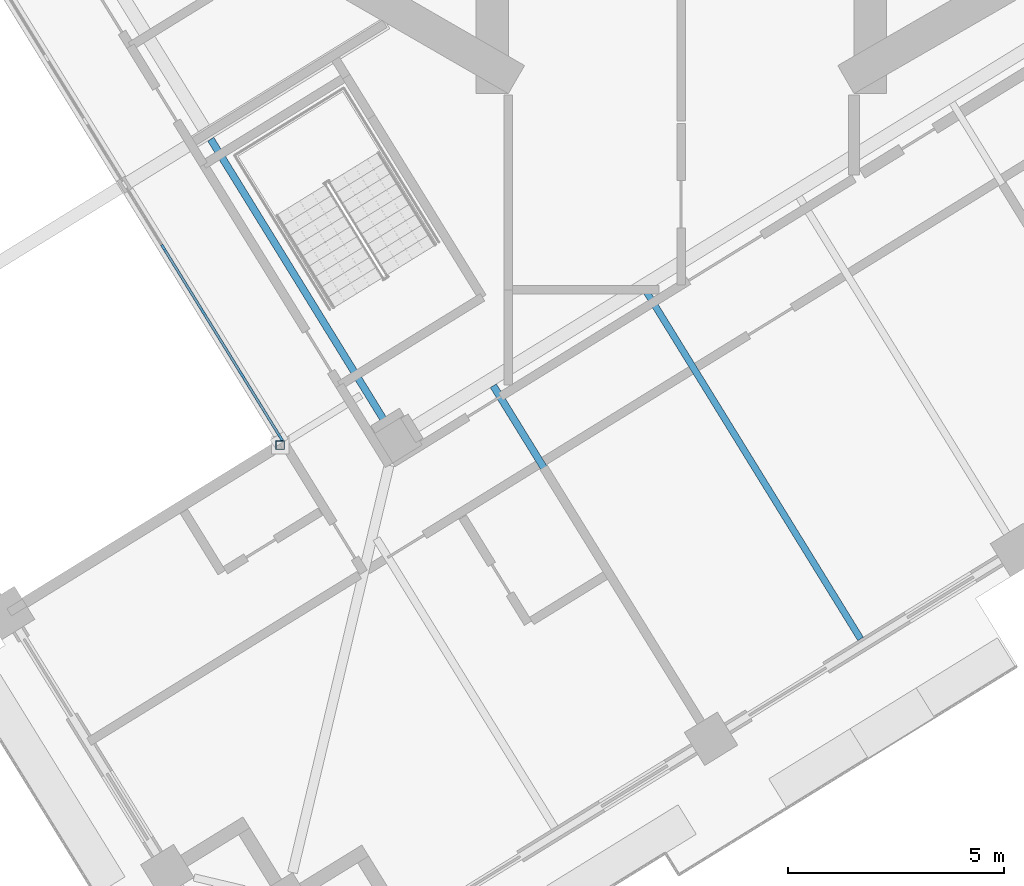
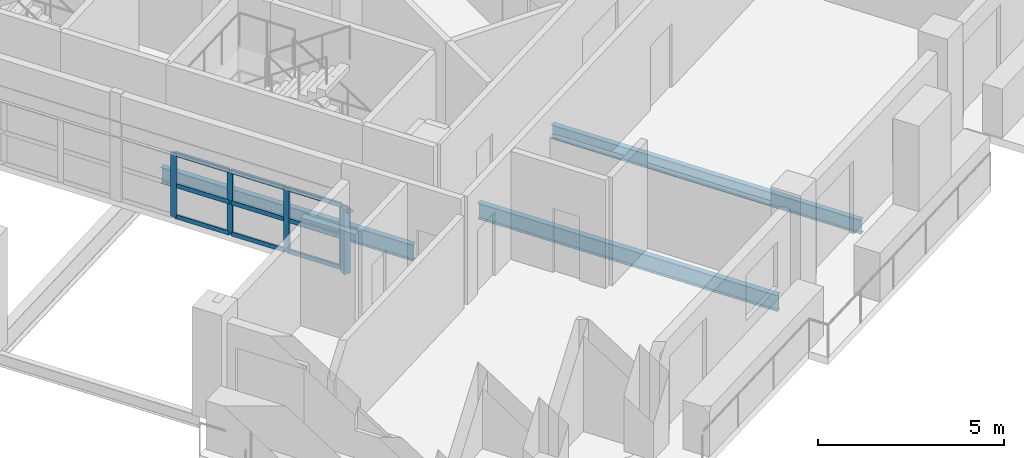
# One storey, part 2 of 22: 14 members, 3 beams, 1 element without a shape of its own.
"""IFC4 building model written with IfcOpenShell, lengths in metres."""

from ifc_helpers import new_model, si_unit, direction, frame, origin, origin_2d, place, context, subcontext, project, spatial, rectangle, hollow_rectangle, i_section, extrude, material, material_profile, profile_set, type_object, element, aggregate, save


model = new_model("IFC4")

# Units and contexts
model_context = context("Model", 3, precision=1e-05, world=origin(), true_north=direction((0.0, 1.0)))
body_context = subcontext(model_context, "Body", "Model", "MODEL_VIEW")
ifc_project = project(units=[si_unit("LENGTHUNIT", "METRE"), si_unit("AREAUNIT", "SQUARE_METRE"), si_unit("VOLUMEUNIT", "CUBIC_METRE"), si_unit("PLANEANGLEUNIT", "RADIAN"), si_unit("MASSUNIT", "GRAM", prefix="KILO")], contexts=[model_context])

# Site, building, storey
site_placement = place(None, origin())
site = spatial("IfcSite", under=ifc_project, at=site_placement, CompositionType="ELEMENT")
building_placement = place(site_placement, origin())
building = spatial("IfcBuilding", under=site, at=building_placement, Name="Cantera Rosa Tower", CompositionType="ELEMENT")
storey_placement = place(building_placement, frame((0.0, 0.0, 162.800048828125)))
storey = spatial("IfcBuildingStorey", under=building, at=storey_placement, Name="L35", CompositionType="ELEMENT", Elevation=162.800048828125)

# Curtain wall, members
ifc_material_1 = material(Name="Aluminium frame with clear glass", Category="aluminium")
curtain_wall_type = type_object("IfcCurtainWallType", Name="CW1 TERRACE POCKET GLAZING", PredefinedType="NOTDEFINED", material=ifc_material_1)
curtain_wall_placement = place(storey_placement, origin())
curtain_wall = element("IfcCurtainWall", 1, at=curtain_wall_placement, inside=storey, type_object=curtain_wall_type, Name="CW1 CW1", PredefinedType="NOTDEFINED")
ifc_material_2 = material(Name="Anodised bronze aluminium", Category="aluminium")
ifc_material_profile_1 = material_profile(ifc_material_2, rectangle(XDim=0.06005859375, YDim=0.179931640625, at=origin_2d()), Name="CW-MULLION 60x180 POCKET")
ifc_profile_set_1 = profile_set([ifc_material_profile_1], Name="Anodised bronze aluminium")
member_type_1 = type_object("IfcMemberType", Name="CW-MULLION 60x180 POCKET", PredefinedType="MULLION", material=ifc_profile_set_1)
member_1_placement = place(storey_placement, frame((-11.976806640625, -13.53662109375, 0.0), z_axis=(0.0, 0.0, 1.0), x_axis=(0.851116672416, 0.524976580369, 0.0)))
member_1 = element("IfcMember", 2, at=member_1_placement, type_object=member_type_1, Name="CW1 mullion 6", PredefinedType="MULLION", context=body_context, shape_type="SweptSolid", body=[
    extrude(rectangle(XDim=0.06005859375, YDim=0.179931640625, at=origin_2d()), origin(), (0.0, 0.0, 1.0), 2.10400390625),
])
member_2_placement = place(storey_placement, frame((-11.07177734375, -15.003662109375, 0.0), z_axis=(0.0, 0.0, 1.0), x_axis=(0.851116672416, 0.524976580369, 0.0)))
member_2 = element("IfcMember", 3, at=member_2_placement, type_object=member_type_1, Name="CW1 mullion 7", PredefinedType="MULLION", context=body_context, shape_type="SweptSolid", body=[
    extrude(rectangle(XDim=0.06005859375, YDim=0.179931640625, at=origin_2d()), origin(), (0.0, 0.0, 1.0), 2.10400390625),
])
member_3_placement = place(storey_placement, frame((-10.166748046875, -16.470947265625, 0.0), z_axis=(0.0, 0.0, 1.0), x_axis=(0.851116672416, 0.524976580369, 0.0)))
member_3 = element("IfcMember", 4, at=member_3_placement, type_object=member_type_1, Name="CW1 mullion 8", PredefinedType="MULLION", context=body_context, shape_type="SweptSolid", body=[
    extrude(rectangle(XDim=0.06005859375, YDim=0.179931640625, at=origin_2d()), origin(), (0.0, 0.0, 1.0), 2.10400390625),
])
member_4_placement = place(storey_placement, frame((-9.277587890625, -17.912353515625, 0.0), z_axis=(0.0, 0.0, 1.0), x_axis=(0.851116672416, 0.524976580369, 0.0)))
member_4 = element("IfcMember", 5, at=member_4_placement, type_object=member_type_1, Name="CW1 mullion 9", PredefinedType="MULLION", context=body_context, shape_type="SweptSolid", body=[
    extrude(rectangle(XDim=0.06005859375, YDim=0.179931640625, at=origin_2d()), origin(), (0.0, 0.0, 1.0), 2.10400390625),
])
ifc_material_3 = material(Name="Anodised bronze aluminium", Category="aluminium")
ifc_material_profile_2 = material_profile(ifc_material_3, rectangle(XDim=0.06005859375, YDim=0.139892578125, at=origin_2d()), Name="CW-TRANSOM 60x140 POCKET")
ifc_profile_set_2 = profile_set([ifc_material_profile_2], Name="Anodised bronze aluminium")
member_type_2 = type_object("IfcMemberType", Name="CW-TRANSOM 60x140 POCKET", PredefinedType="USERDEFINED", material=ifc_profile_set_2)
member_5_placement = place(storey_placement, frame((-11.9609375, -13.562255859375, 0.030029296875), z_axis=(0.524924142227, -0.851149014514, 0.0), x_axis=(0.851149014514, 0.524924142227, 0.0)))
member_5 = element("IfcMember", 6, at=member_5_placement, type_object=member_type_2, Name="CW1 transom 6.1", ObjectType="TRANSOM", PredefinedType="USERDEFINED", context=body_context, shape_type="SweptSolid", body=[
    extrude(rectangle(XDim=0.06005859375, YDim=0.139892578125, at=origin_2d()), origin(), (0.0, 0.0, 1.0), 1.66357421875),
])
member_6_placement = place(storey_placement, frame((-11.9609375, -13.562255859375, 1.052001953125), z_axis=(0.524924142227, -0.851149014514, 0.0), x_axis=(0.851149014514, 0.524924142227, 0.0)))
member_6 = element("IfcMember", 7, at=member_6_placement, type_object=member_type_2, Name="CW1 transom 6.2", ObjectType="TRANSOM", PredefinedType="USERDEFINED", context=body_context, shape_type="SweptSolid", body=[
    extrude(rectangle(XDim=0.06005859375, YDim=0.139892578125, at=origin_2d()), origin(), (0.0, 0.0, 1.0), 1.66357421875),
])
member_7_placement = place(storey_placement, frame((-11.9609375, -13.562255859375, 2.073974609375), z_axis=(0.524924142227, -0.851149014514, 0.0), x_axis=(0.851149014514, 0.524924142227, 0.0)))
member_7 = element("IfcMember", 8, at=member_7_placement, type_object=member_type_2, Name="CW1 transom 6.3", ObjectType="TRANSOM", PredefinedType="USERDEFINED", context=body_context, shape_type="SweptSolid", body=[
    extrude(rectangle(XDim=0.06005859375, YDim=0.139892578125, at=origin_2d()), origin(), (0.0, 0.0, 1.0), 1.66357421875),
])
member_8_placement = place(storey_placement, frame((-11.05615234375, -15.029296875, 0.030029296875), z_axis=(0.525030443539, -0.851083446765, 0.0), x_axis=(0.851083446765, 0.525030443539, 0.0)))
member_8 = element("IfcMember", 9, at=member_8_placement, type_object=member_type_2, Name="CW1 transom 7.1", ObjectType="TRANSOM", PredefinedType="USERDEFINED", context=body_context, shape_type="SweptSolid", body=[
    extrude(rectangle(XDim=0.06005859375, YDim=0.139892578125, at=origin_2d()), origin(), (0.0, 0.0, 1.0), 1.663818359375),
])
member_9_placement = place(storey_placement, frame((-11.05615234375, -15.029296875, 1.052001953125), z_axis=(0.525030443539, -0.851083446765, 0.0), x_axis=(0.851083446765, 0.525030443539, 0.0)))
member_9 = element("IfcMember", 10, at=member_9_placement, type_object=member_type_2, Name="CW1 transom 7.2", ObjectType="TRANSOM", PredefinedType="USERDEFINED", context=body_context, shape_type="SweptSolid", body=[
    extrude(rectangle(XDim=0.06005859375, YDim=0.139892578125, at=origin_2d()), origin(), (0.0, 0.0, 1.0), 1.663818359375),
])
member_10_placement = place(storey_placement, frame((-11.05615234375, -15.029296875, 2.073974609375), z_axis=(0.525030443539, -0.851083446765, 0.0), x_axis=(0.851083446765, 0.525030443539, 0.0)))
member_10 = element("IfcMember", 11, at=member_10_placement, type_object=member_type_2, Name="CW1 transom 7.3", ObjectType="TRANSOM", PredefinedType="USERDEFINED", context=body_context, shape_type="SweptSolid", body=[
    extrude(rectangle(XDim=0.06005859375, YDim=0.139892578125, at=origin_2d()), origin(), (0.0, 0.0, 1.0), 1.663818359375),
])
member_11_placement = place(storey_placement, frame((-10.151123046875, -16.496337890625, 0.030029296875), z_axis=(0.524939222981, -0.851139713664, 0.0), x_axis=(0.851139713664, 0.524939222981, 0.0)))
member_11 = element("IfcMember", 12, at=member_11_placement, type_object=member_type_2, Name="CW1 transom 8.1", ObjectType="TRANSOM", PredefinedType="USERDEFINED", context=body_context, shape_type="SweptSolid", body=[
    extrude(rectangle(XDim=0.06005859375, YDim=0.139892578125, at=origin_2d()), origin(), (0.0, 0.0, 1.0), 1.6337890625),
])
member_12_placement = place(storey_placement, frame((-10.151123046875, -16.496337890625, 1.052001953125), z_axis=(0.524939222981, -0.851139713664, 0.0), x_axis=(0.851139713664, 0.524939222981, 0.0)))
member_12 = element("IfcMember", 13, at=member_12_placement, type_object=member_type_2, Name="CW1 transom 8.2", ObjectType="TRANSOM", PredefinedType="USERDEFINED", context=body_context, shape_type="SweptSolid", body=[
    extrude(rectangle(XDim=0.06005859375, YDim=0.139892578125, at=origin_2d()), origin(), (0.0, 0.0, 1.0), 1.6337890625),
])
member_13_placement = place(storey_placement, frame((-10.151123046875, -16.496337890625, 2.073974609375), z_axis=(0.524939222981, -0.851139713664, 0.0), x_axis=(0.851139713664, 0.524939222981, 0.0)))
member_13 = element("IfcMember", 14, at=member_13_placement, type_object=member_type_2, Name="CW1 transom 8.3", ObjectType="TRANSOM", PredefinedType="USERDEFINED", context=body_context, shape_type="SweptSolid", body=[
    extrude(rectangle(XDim=0.06005859375, YDim=0.139892578125, at=origin_2d()), origin(), (0.0, 0.0, 1.0), 1.6337890625),
])
aggregate(curtain_wall, [member_1, member_2, member_3, member_4, member_5, member_6, member_7, member_8, member_9, member_10, member_11, member_12, member_13])

# Member
ifc_material_4 = material(Name="Steel ASTM A992 (Fy 345 MPa)", Category="steel")
ifc_material_profile_3 = material_profile(ifc_material_4, hollow_rectangle(XDim=0.199951171875, YDim=0.199951171875, WallThickness=0.010009765625, at=origin_2d()), Name="LINTEL POST RHS 200x200x10")
ifc_profile_set_3 = profile_set([ifc_material_profile_3], Name="Steel ASTM A992 (Fy 345 MPa)")
member_type_3 = type_object("IfcMemberType", Name="LINTEL POST RHS 200x200x10", PredefinedType="USERDEFINED", material=ifc_profile_set_3)
member_14_placement = place(storey_placement, frame((-9.281494140625, -18.096923828125, 0.0), z_axis=(0.0, 0.0, 1.0), x_axis=(1.0, 0.0, 0.0)))
element("IfcMember", 15, at=member_14_placement, inside=storey, type_object=member_type_3, Name="LINTEL POST L35-2", ObjectType="LINTEL POST", PredefinedType="USERDEFINED", context=body_context, shape_type="SweptSolid", body=[
    extrude(hollow_rectangle(XDim=0.199951171875, YDim=0.199951171875, WallThickness=0.010009765625, at=origin_2d()), origin(), (0.0, 0.0, 1.0), 2.10595703125),
])

# Beams
ifc_material_5 = material(Name="Steel ASTM A992 (Fy 345 MPa)", Category="steel")
ifc_material_profile_4 = material_profile(ifc_material_5, i_section(OverallWidth=0.166015625, OverallDepth=0.528076171875, WebThickness=0.009765625, FlangeThickness=0.013671875, FilletRadius=0.0126953125, at=origin_2d()), Name="W530X74")
ifc_profile_set_4 = profile_set([ifc_material_profile_4], Name="Steel ASTM A992 (Fy 345 MPa)")
beam_type_1 = type_object("IfcBeamType", Name="STEEL BEAM W530X74", PredefinedType="BEAM", material=ifc_profile_set_4)
beam_1_placement = place(storey_placement, frame((0.455078125, -24.51025390625, -0.51416015625), z_axis=(-0.524976979362, 0.851116426313, 0.0), x_axis=(-0.851116426313, -0.524976979362, 0.0)))
element("IfcBeam", 16, at=beam_1_placement, inside=storey, type_object=beam_type_1, Name="G-Z3-09 L35", PredefinedType="BEAM", context=body_context, shape_type="SweptSolid", body=[
    extrude(i_section(OverallWidth=0.166015625, OverallDepth=0.528076171875, WebThickness=0.009765625, FlangeThickness=0.013671875, FilletRadius=0.0126953125, at=origin_2d()), origin(), (0.0, 0.0, 1.0), 9.14990234375),
])
beam_2_placement = place(storey_placement, frame((-6.850830078125, -17.56103515625, -0.51416015625), z_axis=(-0.52497571981, 0.851117203216, 0.0), x_axis=(-0.851117203216, -0.52497571981, 0.0)))
element("IfcBeam", 17, at=beam_2_placement, inside=storey, type_object=beam_type_1, Name="RB-Z3-07 L35", PredefinedType="BEAM", context=body_context, shape_type="SweptSolid", body=[
    extrude(i_section(OverallWidth=0.166015625, OverallDepth=0.528076171875, WebThickness=0.009765625, FlangeThickness=0.013671875, FilletRadius=0.0126953125, at=origin_2d()), origin(), (0.0, 0.0, 1.0), 7.690185546875),
])
ifc_material_6 = material(Name="Steel ASTM A992 (Fy 345 MPa)", Category="steel")
ifc_material_profile_5 = material_profile(ifc_material_6, i_section(OverallWidth=0.154052734375, OverallDepth=0.4599609375, WebThickness=0.009033203125, FlangeThickness=0.015380859375, FilletRadius=0.01025390625, at=origin_2d()), Name="W460X68")
ifc_profile_set_5 = profile_set([ifc_material_profile_5], Name="Steel ASTM A992 (Fy 345 MPa)")
beam_type_2 = type_object("IfcBeamType", Name="STEEL JOIST W460X68", PredefinedType="JOIST", material=ifc_profile_set_5)
beam_3_placement = place(storey_placement, frame((4.1533203125, -22.581787109375, -0.47998046875), z_axis=(-0.524980724235, 0.851114116427, 0.0), x_axis=(-0.851114116427, -0.524980724235, 0.0)))
element("IfcBeam", 18, at=beam_3_placement, inside=storey, type_object=beam_type_2, Name="B-Z3-12 L35", PredefinedType="JOIST", context=body_context, shape_type="SweptSolid", body=[
    extrude(i_section(OverallWidth=0.154052734375, OverallDepth=0.4599609375, WebThickness=0.009033203125, FlangeThickness=0.015380859375, FilletRadius=0.01025390625, at=origin_2d()), origin(), (0.0, 0.0, 1.0), 9.4501953125),
])

save(model, "model.ifc")
